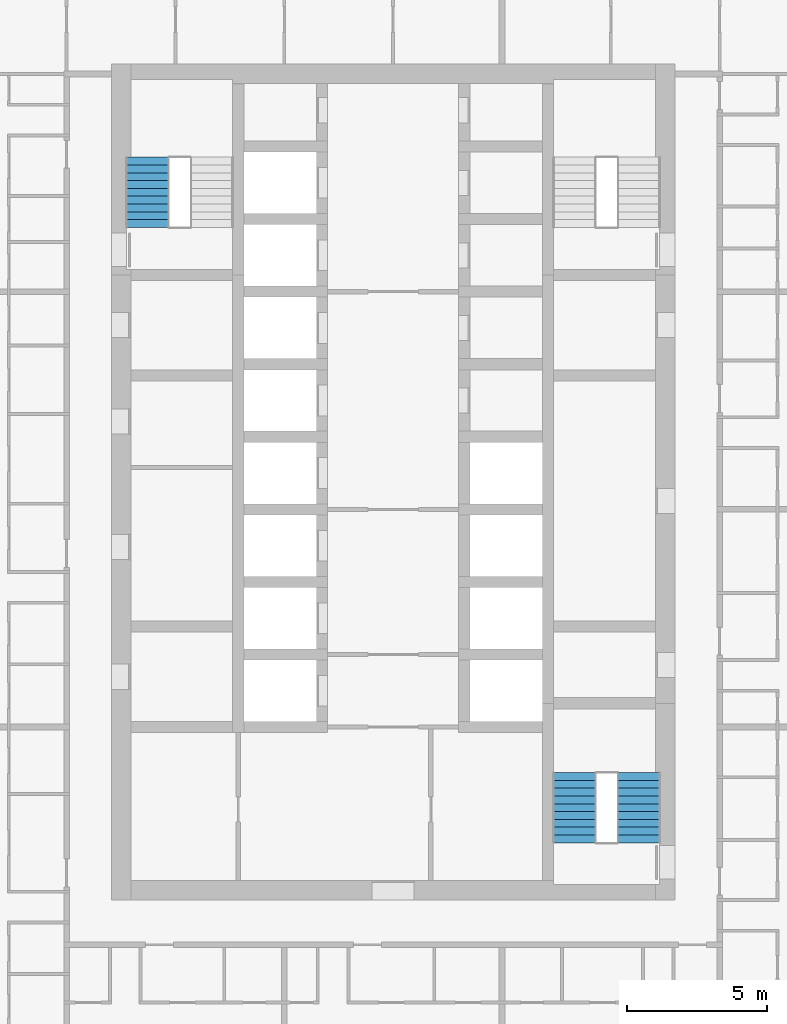
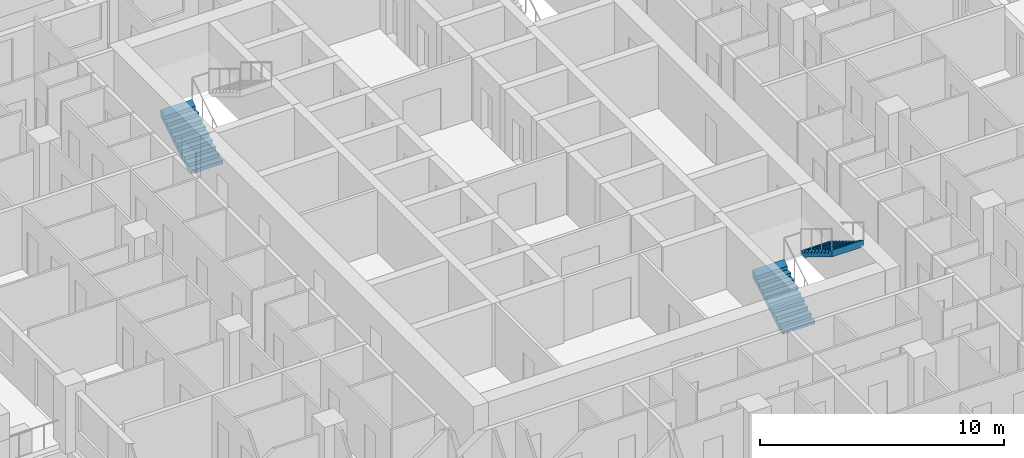
# One storey, part 15 of 18: 3 stair flights, 2 elements without a shape of their own.
"""IFC4 building model written with IfcOpenShell, lengths in metres."""

import ifcopenshell
import ifcopenshell.guid

model = None  # the IFC model being written
_history = None  # IfcOwnerHistory: only IFC2X3 demands one
_inside = {}  # id of a spatial element -> (the spatial element, [elements in it])
_under = {}  # id of a project, library or spatial element -> (it, [spatial elements below it])
_declared = {}  # id of a project -> (the project, [libraries it declares])
_typed = {}  # id of a type object -> (the type object, [elements of that type])
_made_of = {}  # id of a material, layer set ... -> (it, [elements and type objects made of it])


def new_model(schema):
    """Start an empty IFC model of exactly this schema.

    Asked for "IFC4X3", IfcOpenShell would pick the latest addendum, in which some entities
    have other attributes; the version numbers below select the first issue.
    IFC2X3 requires an IfcOwnerHistory on every rooted entity: one is made here for all.
    """
    global model, _history
    if schema == "IFC4X3":
        model = ifcopenshell.file(schema_version=(4, 3, 0, 0))
    else:
        model = ifcopenshell.file(schema=schema)
    _inside.clear()
    _under.clear()
    _declared.clear()
    _typed.clear()
    _made_of.clear()
    _history = None
    if model.schema == "IFC2X3":
        org = make("IfcOrganization", Name="unknown")
        user = make(
            "IfcPersonAndOrganization",
            ThePerson=make("IfcPerson", FamilyName="unknown"),
            TheOrganization=org,
        )
        app = make(
            "IfcApplication",
            ApplicationDeveloper=org,
            Version="unknown",
            ApplicationFullName="unknown",
            ApplicationIdentifier="unknown",
        )
        _history = make(
            "IfcOwnerHistory",
            OwningUser=user,
            OwningApplication=app,
            ChangeAction="ADDED",
            CreationDate=0,
        )
    return model


def make(cls, **values):
    """One entity of the class cls with the attributes given. An attribute that is None is left unset."""
    return model.create_entity(
        cls, **{name: value for name, value in values.items() if value is not None}
    )


def rooted(cls, **values):
    """An entity with a GlobalId (a new one), such as an element, a storey or a relation."""
    return make(cls, GlobalId=ifcopenshell.guid.new(), OwnerHistory=_history, **values)


def si_unit(unit_type, name, prefix=None):
    """IfcSIUnit, for example si_unit("LENGTHUNIT", "METRE", prefix="MILLI")."""
    return make("IfcSIUnit", UnitType=unit_type, Prefix=prefix, Name=name)


def assignment(units):
    """IfcUnitAssignment: the units of a project."""
    return None if units is None else make("IfcUnitAssignment", Units=units)


def point(xyz):
    """IfcCartesianPoint."""
    return None if xyz is None else make("IfcCartesianPoint", Coordinates=xyz)


def direction(xyz):
    """IfcDirection."""
    return None if xyz is None else make("IfcDirection", DirectionRatios=xyz)


def frame(location, z_axis=None, x_axis=None):
    """IfcAxis2Placement3D, a coordinate frame: its origin and axes. An axis left out is left unset."""
    return make(
        "IfcAxis2Placement3D",
        Location=point(location),
        Axis=direction(z_axis),
        RefDirection=direction(x_axis),
    )


def origin():
    """The frame at (0, 0, 0) with its axes left unset."""
    return frame((0.0, 0.0, 0.0))


def place(relative_to, where):
    """IfcLocalPlacement: puts the frame where relative to a parent placement (None: the world)."""
    return make(
        "IfcLocalPlacement", PlacementRelTo=relative_to, RelativePlacement=where
    )


def context(
    kind, dimensions, precision=None, world=None, true_north=None, identifier=None
):
    """IfcGeometricRepresentationContext, for example the 3D "Model" context."""
    return make(
        "IfcGeometricRepresentationContext",
        ContextIdentifier=identifier,
        ContextType=kind,
        CoordinateSpaceDimension=dimensions,
        Precision=precision,
        WorldCoordinateSystem=world,
        TrueNorth=true_north,
    )


def subcontext(parent, identifier, kind, view, scale=None):
    """IfcGeometricRepresentationSubContext, for example "Body" below "Model"."""
    return make(
        "IfcGeometricRepresentationSubContext",
        ContextIdentifier=identifier,
        ContextType=kind,
        ParentContext=parent,
        TargetScale=scale,
        TargetView=view,
    )


def project(units=None, contexts=None):
    """IfcProject with its units and contexts."""
    return rooted(
        "IfcProject",
        Name="project",
        RepresentationContexts=contexts,
        UnitsInContext=assignment(units),
    )


def spatial(cls, under=None, at=None, **own):
    """A site, building, storey or space (cls), placed at a placement, below another one or the project."""
    s = rooted(cls, ObjectPlacement=at, **own)
    if under is not None:
        _under.setdefault(under.id(), (under, []))[1].append(s)
    return s


def point_list(points):
    """IfcCartesianPointList2D or 3D."""
    cls = (
        "IfcCartesianPointList2D" if len(points[0]) == 2 else "IfcCartesianPointList3D"
    )
    return make(cls, CoordList=points)


def triangles(points, corners, closed=None, point_numbers=None):
    """IfcTriangulatedFaceSet: each triangle names its three corners, points numbered from 1."""
    return make(
        "IfcTriangulatedFaceSet",
        Coordinates=point_list(points),
        Closed=closed,
        CoordIndex=corners,
        PnIndex=point_numbers,
    )


def shape(context_of_items, identifier, shape_type, items):
    """IfcShapeRepresentation: the items that make up one representation, for example the "Body"."""
    return make(
        "IfcShapeRepresentation",
        ContextOfItems=context_of_items,
        RepresentationIdentifier=identifier,
        RepresentationType=shape_type,
        Items=items,
    )


def material(Name=None, Category=None):
    """IfcMaterial."""
    return make("IfcMaterial", Name=Name, Category=Category)


def made_of(thing, what):
    """Note that an element or type object is made of a material, layer set ...; save() writes the relation."""
    if what is not None:
        _made_of.setdefault(what.id(), (what, []))[1].append(thing)
    return thing


def type_object(cls, material=None, **own):
    """A type object (cls), such as IfcWallType, which elements share."""
    return made_of(rooted(cls, **own), material)


def element(
    cls,
    number,
    at=None,
    inside=None,
    cuts=None,
    type_object=None,
    material=None,
    context=None,
    identifier="Body",
    shape_type=None,
    held_by="IfcProductDefinitionShape",
    body=None,
    shapes=None,
    **own,
):
    """One element of the class cls, such as IfcWall. Its Tag is "e" and its number.

    at: its placement. inside: the storey or other place that contains it. cuts: it is an
    opening in that element (IfcRelVoidsElement). A single representation is given by context,
    identifier, shape_type and body (its items); several are given by shapes. held_by: the class
    of the entity that holds the representations. save() writes the other relations.
    """
    e = rooted(cls, Tag="e%d" % number, ObjectPlacement=at, **own)
    if body is not None:
        shapes = [shape(context, identifier, shape_type, body)]
    if shapes is not None:
        e.Representation = make(held_by, Representations=shapes)
    if inside is not None:
        _inside.setdefault(inside.id(), (inside, []))[1].append(e)
    if cuts is not None:
        rooted(
            "IfcRelVoidsElement", RelatingBuildingElement=cuts, RelatedOpeningElement=e
        )
    if type_object is not None:
        _typed.setdefault(type_object.id(), (type_object, []))[1].append(e)
    return made_of(e, material)


def aggregate(whole, parts):
    """IfcRelAggregates: a whole, such as a stair, and the parts it consists of."""
    return rooted("IfcRelAggregates", RelatingObject=whole, RelatedObjects=parts)


def save(model, path):
    """Write the relations noted so far, then the file.

    IfcRelAggregates (storeys below a building ...), IfcRelContainedInSpatialStructure (elements
    in a storey), IfcRelDefinesByType, IfcRelAssociatesMaterial and IfcRelDeclares: one each for
    every whole, place, type object, material and project.
    """
    for whole, parts in _under.values():
        aggregate(whole, parts)
    for where, things in _inside.values():
        rooted(
            "IfcRelContainedInSpatialStructure",
            RelatedElements=things,
            RelatingStructure=where,
        )
    for kind, things in _typed.values():
        rooted("IfcRelDefinesByType", RelatedObjects=things, RelatingType=kind)
    for what, things in _made_of.values():
        rooted("IfcRelAssociatesMaterial", RelatedObjects=things, RelatingMaterial=what)
    for by, libraries in _declared.values():
        rooted("IfcRelDeclares", RelatingContext=by, RelatedDefinitions=libraries)
    model.write(path)


model = new_model("IFC4")

# Units and contexts
model_context = context("Model", 3, precision=1e-05, world=origin(), true_north=direction((0.0, 1.0)))
body_context = subcontext(model_context, "Body", "Model", "MODEL_VIEW")
ifc_project = project(units=[si_unit("LENGTHUNIT", "METRE"), si_unit("AREAUNIT", "SQUARE_METRE"), si_unit("VOLUMEUNIT", "CUBIC_METRE"), si_unit("PLANEANGLEUNIT", "RADIAN"), si_unit("MASSUNIT", "GRAM", prefix="KILO")], contexts=[model_context])

# Site, building, storey
site_placement = place(None, origin())
site = spatial("IfcSite", under=ifc_project, at=site_placement, CompositionType="ELEMENT")
building_placement = place(site_placement, origin())
building = spatial("IfcBuilding", under=site, at=building_placement, Name="Ludao Terraces", CompositionType="ELEMENT")
storey_placement = place(building_placement, frame((0.0, 0.0, 78.39990234375)))
storey = spatial("IfcBuildingStorey", under=building, at=storey_placement, Name="L21", CompositionType="ELEMENT", Elevation=78.39990234375)

# Stair, stair flight
ifc_material = material(Name="Concrete C40", Category="concrete")
stair_type = type_object("IfcStairType", Name="INT Stair", PredefinedType="HALF_TURN_STAIR", material=ifc_material)
stair_1_placement = place(storey_placement, origin())
stair_1 = element("IfcStair", 1, at=stair_1_placement, inside=storey, type_object=stair_type, Name="EXIT STAIR 1", PredefinedType="HALF_TURN_STAIR")
stair_flight_type = type_object("IfcStairFlightType", Name="INT Stair flight", PredefinedType="STRAIGHT", material=ifc_material)
stair_flight_1_placement = place(storey_placement, frame((76.199951171875, 79.0, 0.0), z_axis=(0.0, 0.0, 1.0), x_axis=(0.0, 1.0, 0.0)))
stair_flight_1 = element("IfcStairFlight", 2, at=stair_flight_1_placement, type_object=stair_flight_type, Name="ST1 flight 1", NumberOfRisers=10, NumberOfTreads=9, PredefinedType="STRAIGHT", RiserHeight=0.17, TreadLength=0.28, context=body_context, shape_type="Tessellation", body=[
    triangles([(0.0, -0.75, 0.0), (0.0, -0.5, 0.0), (0.0, -0.25, 0.0), (0.0, 0.0, 0.0), (0.0, 0.25, 0.0), (0.0, 0.5, 0.0), (0.0, 0.75, 0.0), (0.0, -0.75, 0.169921875), (0.0, -0.5, 0.169921875), (0.0, -0.25, 0.169921875), (0.0, 0.0, 0.169921875), (0.0, 0.25, 0.169921875), (0.0, 0.5, 0.169921875), (0.0, 0.75, 0.169921875), (0.280029296875, -0.75, 0.169921875), (0.280029296875, -0.5, 0.169921875), (0.280029296875, -0.25, 0.169921875), (0.280029296875, 0.0, 0.169921875), (0.280029296875, 0.25, 0.169921875), (0.280029296875, 0.5, 0.169921875), (0.280029296875, 0.75, 0.169921875), (0.280029296875, -0.75, 0.340087890625), (0.280029296875, -0.5, 0.340087890625), (0.280029296875, -0.25, 0.340087890625), (0.280029296875, 0.0, 0.340087890625), (0.280029296875, 0.25, 0.340087890625), (0.280029296875, 0.5, 0.340087890625), (0.280029296875, 0.75, 0.340087890625), (0.56005859375, -0.75, 0.340087890625), (0.56005859375, -0.5, 0.340087890625), (0.56005859375, -0.25, 0.340087890625), (0.56005859375, 0.0, 0.340087890625), (0.56005859375, 0.25, 0.340087890625), (0.56005859375, 0.5, 0.340087890625), (0.56005859375, 0.75, 0.340087890625), (0.56005859375, -0.75, 0.510009765625), (0.56005859375, -0.5, 0.510009765625), (0.56005859375, -0.25, 0.510009765625), (0.56005859375, 0.0, 0.510009765625), (0.56005859375, 0.25, 0.510009765625), (0.56005859375, 0.5, 0.510009765625), (0.56005859375, 0.75, 0.510009765625), (0.840087890625, -0.75, 0.510009765625), (0.840087890625, -0.5, 0.510009765625), (0.840087890625, -0.25, 0.510009765625), (0.840087890625, 0.0, 0.510009765625), (0.840087890625, 0.25, 0.510009765625), (0.840087890625, 0.5, 0.510009765625), (0.840087890625, 0.75, 0.510009765625), (0.840087890625, -0.75, 0.679931640625), (0.840087890625, -0.5, 0.679931640625), (0.840087890625, -0.25, 0.679931640625), (0.840087890625, 0.0, 0.679931640625), (0.840087890625, 0.25, 0.679931640625), (0.840087890625, 0.5, 0.679931640625), (0.840087890625, 0.75, 0.679931640625), (1.1201171875, -0.75, 0.679931640625), (1.1201171875, -0.5, 0.679931640625), (1.1201171875, -0.25, 0.679931640625), (1.1201171875, 0.0, 0.679931640625), (1.1201171875, 0.25, 0.679931640625), (1.1201171875, 0.5, 0.679931640625), (1.1201171875, 0.75, 0.679931640625), (1.1201171875, -0.75, 0.85009765625), (1.1201171875, -0.5, 0.85009765625), (1.1201171875, -0.25, 0.85009765625), (1.1201171875, 0.0, 0.85009765625), (1.1201171875, 0.25, 0.85009765625), (1.1201171875, 0.5, 0.85009765625), (1.1201171875, 0.75, 0.85009765625), (1.39990234375, -0.75, 0.85009765625), (1.39990234375, -0.5, 0.85009765625), (1.39990234375, -0.25, 0.85009765625), (1.39990234375, 0.0, 0.85009765625), (1.39990234375, 0.25, 0.85009765625), (1.39990234375, 0.5, 0.85009765625), (1.39990234375, 0.75, 0.85009765625), (1.39990234375, -0.75, 1.02001953125), (1.39990234375, -0.5, 1.02001953125), (1.39990234375, -0.25, 1.02001953125), (1.39990234375, 0.0, 1.02001953125), (1.39990234375, 0.25, 1.02001953125), (1.39990234375, 0.5, 1.02001953125), (1.39990234375, 0.75, 1.02001953125), (1.679931640625, -0.75, 1.02001953125), (1.679931640625, -0.5, 1.02001953125), (1.679931640625, -0.25, 1.02001953125), (1.679931640625, 0.0, 1.02001953125), (1.679931640625, 0.25, 1.02001953125), (1.679931640625, 0.5, 1.02001953125), (1.679931640625, 0.75, 1.02001953125), (1.679931640625, -0.75, 1.18994140625), (1.679931640625, -0.5, 1.18994140625), (1.679931640625, -0.25, 1.18994140625), (1.679931640625, 0.0, 1.18994140625), (1.679931640625, 0.25, 1.18994140625), (1.679931640625, 0.5, 1.18994140625), (1.679931640625, 0.75, 1.18994140625), (1.9599609375, -0.75, 1.18994140625), (1.9599609375, -0.5, 1.18994140625), (1.9599609375, -0.25, 1.18994140625), (1.9599609375, 0.0, 1.18994140625), (1.9599609375, 0.25, 1.18994140625), (1.9599609375, 0.5, 1.18994140625), (1.9599609375, 0.75, 1.18994140625), (1.9599609375, -0.75, 1.360107421875), (1.9599609375, -0.5, 1.360107421875), (1.9599609375, -0.25, 1.360107421875), (1.9599609375, 0.0, 1.360107421875), (1.9599609375, 0.25, 1.360107421875), (1.9599609375, 0.5, 1.360107421875), (1.9599609375, 0.75, 1.360107421875), (2.239990234375, -0.75, 1.360107421875), (2.239990234375, -0.5, 1.360107421875), (2.239990234375, -0.25, 1.360107421875), (2.239990234375, 0.0, 1.360107421875), (2.239990234375, 0.25, 1.360107421875), (2.239990234375, 0.5, 1.360107421875), (2.239990234375, 0.75, 1.360107421875), (2.239990234375, -0.75, 1.530029296875), (2.239990234375, -0.5, 1.530029296875), (2.239990234375, -0.25, 1.530029296875), (2.239990234375, 0.0, 1.530029296875), (2.239990234375, 0.25, 1.530029296875), (2.239990234375, 0.5, 1.530029296875), (2.239990234375, 0.75, 1.530029296875), (2.52001953125, -0.75, 1.699951171875), (2.52001953125, -0.5, 1.699951171875), (2.52001953125, -0.25, 1.699951171875), (2.52001953125, 0.0, 1.699951171875), (2.52001953125, 0.25, 1.699951171875), (2.52001953125, 0.5, 1.699951171875), (2.52001953125, 0.75, 1.699951171875), (2.52001953125, -0.75, 1.354736328125), (2.52001953125, -0.5, 1.354736328125), (2.52001953125, -0.25, 1.354736328125), (2.52001953125, 0.0, 1.354736328125), (2.52001953125, 0.25, 1.354736328125), (2.52001953125, 0.5, 1.354736328125), (2.52001953125, 0.75, 1.354736328125), (0.288818359375, -0.75, 0.0), (0.288818359375, -0.5, 0.0), (0.288818359375, -0.25, 0.0), (0.288818359375, 0.0, 0.0), (0.288818359375, 0.25, 0.0), (0.288818359375, 0.5, 0.0), (0.288818359375, 0.75, 0.0)], [[1, 141, 134], [7, 140, 147], [134, 127, 120], [140, 126, 133], [134, 120, 113], [140, 119, 126], [134, 113, 106], [140, 112, 119], [134, 106, 99], [140, 105, 112], [99, 92, 85], [105, 91, 98], [134, 99, 85], [140, 91, 105], [85, 78, 71], [91, 77, 84], [134, 85, 71], [140, 77, 91], [71, 64, 57], [77, 63, 70], [134, 71, 57], [140, 63, 77], [57, 50, 43], [63, 49, 56], [134, 57, 43], [140, 49, 63], [43, 36, 29], [49, 35, 42], [134, 43, 29], [140, 35, 49], [29, 22, 15], [35, 21, 28], [134, 29, 15], [140, 21, 35], [1, 134, 15], [7, 21, 140], [15, 8, 1], [21, 7, 14], [1, 9, 2], [1, 8, 9], [2, 10, 3], [2, 9, 10], [3, 11, 4], [3, 10, 11], [4, 12, 5], [4, 11, 12], [5, 13, 6], [5, 12, 13], [6, 14, 7], [6, 13, 14], [8, 16, 9], [8, 15, 16], [9, 17, 10], [9, 16, 17], [10, 18, 11], [10, 17, 18], [11, 19, 12], [11, 18, 19], [12, 20, 13], [12, 19, 20], [13, 21, 14], [13, 20, 21], [15, 23, 16], [15, 22, 23], [16, 24, 17], [16, 23, 24], [17, 25, 18], [17, 24, 25], [18, 26, 19], [18, 25, 26], [19, 27, 20], [19, 26, 27], [20, 28, 21], [20, 27, 28], [22, 30, 23], [22, 29, 30], [23, 31, 24], [23, 30, 31], [24, 32, 25], [24, 31, 32], [25, 33, 26], [25, 32, 33], [26, 34, 27], [26, 33, 34], [27, 35, 28], [27, 34, 35], [29, 37, 30], [29, 36, 37], [30, 38, 31], [30, 37, 38], [31, 39, 32], [31, 38, 39], [32, 40, 33], [32, 39, 40], [33, 41, 34], [33, 40, 41], [34, 42, 35], [34, 41, 42], [36, 44, 37], [36, 43, 44], [37, 45, 38], [37, 44, 45], [38, 46, 39], [38, 45, 46], [39, 47, 40], [39, 46, 47], [40, 48, 41], [40, 47, 48], [41, 49, 42], [41, 48, 49], [43, 51, 44], [43, 50, 51], [44, 52, 45], [44, 51, 52], [45, 53, 46], [45, 52, 53], [46, 54, 47], [46, 53, 54], [47, 55, 48], [47, 54, 55], [48, 56, 49], [48, 55, 56], [50, 58, 51], [50, 57, 58], [51, 59, 52], [51, 58, 59], [52, 60, 53], [52, 59, 60], [53, 61, 54], [53, 60, 61], [54, 62, 55], [54, 61, 62], [55, 63, 56], [55, 62, 63], [57, 65, 58], [57, 64, 65], [58, 66, 59], [58, 65, 66], [59, 67, 60], [59, 66, 67], [60, 68, 61], [60, 67, 68], [61, 69, 62], [61, 68, 69], [62, 70, 63], [62, 69, 70], [64, 72, 65], [64, 71, 72], [65, 73, 66], [65, 72, 73], [66, 74, 67], [66, 73, 74], [67, 75, 68], [67, 74, 75], [68, 76, 69], [68, 75, 76], [69, 77, 70], [69, 76, 77], [71, 79, 72], [71, 78, 79], [72, 80, 73], [72, 79, 80], [73, 81, 74], [73, 80, 81], [74, 82, 75], [74, 81, 82], [75, 83, 76], [75, 82, 83], [76, 84, 77], [76, 83, 84], [78, 86, 79], [78, 85, 86], [79, 87, 80], [79, 86, 87], [80, 88, 81], [80, 87, 88], [81, 89, 82], [81, 88, 89], [82, 90, 83], [82, 89, 90], [83, 91, 84], [83, 90, 91], [85, 93, 86], [85, 92, 93], [86, 94, 87], [86, 93, 94], [87, 95, 88], [87, 94, 95], [88, 96, 89], [88, 95, 96], [89, 97, 90], [89, 96, 97], [90, 98, 91], [90, 97, 98], [92, 100, 93], [92, 99, 100], [93, 101, 94], [93, 100, 101], [94, 102, 95], [94, 101, 102], [95, 103, 96], [95, 102, 103], [96, 104, 97], [96, 103, 104], [97, 105, 98], [97, 104, 105], [99, 107, 100], [99, 106, 107], [100, 108, 101], [100, 107, 108], [101, 109, 102], [101, 108, 109], [102, 110, 103], [102, 109, 110], [103, 111, 104], [103, 110, 111], [104, 112, 105], [104, 111, 112], [106, 114, 107], [106, 113, 114], [107, 115, 108], [107, 114, 115], [108, 116, 109], [108, 115, 116], [109, 117, 110], [109, 116, 117], [110, 118, 111], [110, 117, 118], [111, 119, 112], [111, 118, 119], [113, 121, 114], [113, 120, 121], [114, 122, 115], [114, 121, 122], [115, 123, 116], [115, 122, 123], [116, 124, 117], [116, 123, 124], [117, 125, 118], [117, 124, 125], [118, 126, 119], [118, 125, 126], [120, 128, 121], [120, 127, 128], [121, 129, 122], [121, 128, 129], [122, 130, 123], [122, 129, 130], [123, 131, 124], [123, 130, 131], [124, 132, 125], [124, 131, 132], [125, 133, 126], [125, 132, 133], [127, 135, 128], [127, 134, 135], [128, 136, 129], [128, 135, 136], [129, 137, 130], [129, 136, 137], [130, 138, 131], [130, 137, 138], [131, 139, 132], [131, 138, 139], [132, 140, 133], [132, 139, 140], [134, 142, 135], [134, 141, 142], [135, 143, 136], [135, 142, 143], [136, 144, 137], [136, 143, 144], [137, 145, 138], [137, 144, 145], [138, 146, 139], [138, 145, 146], [139, 147, 140], [139, 146, 147], [141, 2, 142], [141, 1, 2], [142, 3, 143], [142, 2, 3], [143, 4, 144], [143, 3, 4], [144, 5, 145], [144, 4, 5], [145, 6, 146], [145, 5, 6], [146, 7, 147], [146, 6, 7]], closed=True),
])
aggregate(stair_1, [stair_flight_1])

# Stair, stair flights
stair_2_placement = place(storey_placement, origin())
stair_2 = element("IfcStair", 3, at=stair_2_placement, inside=storey, type_object=stair_type, Name="EXIT STAIR 3", PredefinedType="HALF_TURN_STAIR")
stair_flight_2_placement = place(storey_placement, frame((91.5, 56.949951171875, 0.0), z_axis=(0.0, 0.0, 1.0), x_axis=(0.0, 1.0, 0.0)))
stair_flight_2 = element("IfcStairFlight", 4, at=stair_flight_2_placement, type_object=stair_flight_type, Name="ST3 flight 1", NumberOfRisers=10, NumberOfTreads=9, PredefinedType="STRAIGHT", RiserHeight=0.17, TreadLength=0.28, context=body_context, shape_type="Tessellation", body=[
    triangles([(0.0, -0.75, 0.0), (0.0, -0.5, 0.0), (0.0, -0.25, 0.0), (0.0, 0.0, 0.0), (0.0, 0.25, 0.0), (0.0, 0.5, 0.0), (0.0, 0.75, 0.0), (0.0, -0.75, 0.169921875), (0.0, -0.5, 0.169921875), (0.0, -0.25, 0.169921875), (0.0, 0.0, 0.169921875), (0.0, 0.25, 0.169921875), (0.0, 0.5, 0.169921875), (0.0, 0.75, 0.169921875), (0.280029296875, -0.75, 0.169921875), (0.280029296875, -0.5, 0.169921875), (0.280029296875, -0.25, 0.169921875), (0.280029296875, 0.0, 0.169921875), (0.280029296875, 0.25, 0.169921875), (0.280029296875, 0.5, 0.169921875), (0.280029296875, 0.75, 0.169921875), (0.280029296875, -0.75, 0.340087890625), (0.280029296875, -0.5, 0.340087890625), (0.280029296875, -0.25, 0.340087890625), (0.280029296875, 0.0, 0.340087890625), (0.280029296875, 0.25, 0.340087890625), (0.280029296875, 0.5, 0.340087890625), (0.280029296875, 0.75, 0.340087890625), (0.56005859375, -0.75, 0.340087890625), (0.56005859375, -0.5, 0.340087890625), (0.56005859375, -0.25, 0.340087890625), (0.56005859375, 0.0, 0.340087890625), (0.56005859375, 0.25, 0.340087890625), (0.56005859375, 0.5, 0.340087890625), (0.56005859375, 0.75, 0.340087890625), (0.56005859375, -0.75, 0.510009765625), (0.56005859375, -0.5, 0.510009765625), (0.56005859375, -0.25, 0.510009765625), (0.56005859375, 0.0, 0.510009765625), (0.56005859375, 0.25, 0.510009765625), (0.56005859375, 0.5, 0.510009765625), (0.56005859375, 0.75, 0.510009765625), (0.840087890625, -0.75, 0.510009765625), (0.840087890625, -0.5, 0.510009765625), (0.840087890625, -0.25, 0.510009765625), (0.840087890625, 0.0, 0.510009765625), (0.840087890625, 0.25, 0.510009765625), (0.840087890625, 0.5, 0.510009765625), (0.840087890625, 0.75, 0.510009765625), (0.840087890625, -0.75, 0.679931640625), (0.840087890625, -0.5, 0.679931640625), (0.840087890625, -0.25, 0.679931640625), (0.840087890625, 0.0, 0.679931640625), (0.840087890625, 0.25, 0.679931640625), (0.840087890625, 0.5, 0.679931640625), (0.840087890625, 0.75, 0.679931640625), (1.1201171875, -0.75, 0.679931640625), (1.1201171875, -0.5, 0.679931640625), (1.1201171875, -0.25, 0.679931640625), (1.1201171875, 0.0, 0.679931640625), (1.1201171875, 0.25, 0.679931640625), (1.1201171875, 0.5, 0.679931640625), (1.1201171875, 0.75, 0.679931640625), (1.1201171875, -0.75, 0.85009765625), (1.1201171875, -0.5, 0.85009765625), (1.1201171875, -0.25, 0.85009765625), (1.1201171875, 0.0, 0.85009765625), (1.1201171875, 0.25, 0.85009765625), (1.1201171875, 0.5, 0.85009765625), (1.1201171875, 0.75, 0.85009765625), (1.39990234375, -0.75, 0.85009765625), (1.39990234375, -0.5, 0.85009765625), (1.39990234375, -0.25, 0.85009765625), (1.39990234375, 0.0, 0.85009765625), (1.39990234375, 0.25, 0.85009765625), (1.39990234375, 0.5, 0.85009765625), (1.39990234375, 0.75, 0.85009765625), (1.39990234375, -0.75, 1.02001953125), (1.39990234375, -0.5, 1.02001953125), (1.39990234375, -0.25, 1.02001953125), (1.39990234375, 0.0, 1.02001953125), (1.39990234375, 0.25, 1.02001953125), (1.39990234375, 0.5, 1.02001953125), (1.39990234375, 0.75, 1.02001953125), (1.679931640625, -0.75, 1.02001953125), (1.679931640625, -0.5, 1.02001953125), (1.679931640625, -0.25, 1.02001953125), (1.679931640625, 0.0, 1.02001953125), (1.679931640625, 0.25, 1.02001953125), (1.679931640625, 0.5, 1.02001953125), (1.679931640625, 0.75, 1.02001953125), (1.679931640625, -0.75, 1.18994140625), (1.679931640625, -0.5, 1.18994140625), (1.679931640625, -0.25, 1.18994140625), (1.679931640625, 0.0, 1.18994140625), (1.679931640625, 0.25, 1.18994140625), (1.679931640625, 0.5, 1.18994140625), (1.679931640625, 0.75, 1.18994140625), (1.9599609375, -0.75, 1.18994140625), (1.9599609375, -0.5, 1.18994140625), (1.9599609375, -0.25, 1.18994140625), (1.9599609375, 0.0, 1.18994140625), (1.9599609375, 0.25, 1.18994140625), (1.9599609375, 0.5, 1.18994140625), (1.9599609375, 0.75, 1.18994140625), (1.9599609375, -0.75, 1.360107421875), (1.9599609375, -0.5, 1.360107421875), (1.9599609375, -0.25, 1.360107421875), (1.9599609375, 0.0, 1.360107421875), (1.9599609375, 0.25, 1.360107421875), (1.9599609375, 0.5, 1.360107421875), (1.9599609375, 0.75, 1.360107421875), (2.239990234375, -0.75, 1.360107421875), (2.239990234375, -0.5, 1.360107421875), (2.239990234375, -0.25, 1.360107421875), (2.239990234375, 0.0, 1.360107421875), (2.239990234375, 0.25, 1.360107421875), (2.239990234375, 0.5, 1.360107421875), (2.239990234375, 0.75, 1.360107421875), (2.239990234375, -0.75, 1.530029296875), (2.239990234375, -0.5, 1.530029296875), (2.239990234375, -0.25, 1.530029296875), (2.239990234375, 0.0, 1.530029296875), (2.239990234375, 0.25, 1.530029296875), (2.239990234375, 0.5, 1.530029296875), (2.239990234375, 0.75, 1.530029296875), (2.52001953125, -0.75, 1.699951171875), (2.52001953125, -0.5, 1.699951171875), (2.52001953125, -0.25, 1.699951171875), (2.52001953125, 0.0, 1.699951171875), (2.52001953125, 0.25, 1.699951171875), (2.52001953125, 0.5, 1.699951171875), (2.52001953125, 0.75, 1.699951171875), (2.52001953125, -0.75, 1.354736328125), (2.52001953125, -0.5, 1.354736328125), (2.52001953125, -0.25, 1.354736328125), (2.52001953125, 0.0, 1.354736328125), (2.52001953125, 0.25, 1.354736328125), (2.52001953125, 0.5, 1.354736328125), (2.52001953125, 0.75, 1.354736328125), (0.288818359375, -0.75, 0.0), (0.288818359375, -0.5, 0.0), (0.288818359375, -0.25, 0.0), (0.288818359375, 0.0, 0.0), (0.288818359375, 0.25, 0.0), (0.288818359375, 0.5, 0.0), (0.288818359375, 0.75, 0.0)], [[1, 141, 134], [7, 140, 147], [134, 127, 120], [140, 126, 133], [134, 120, 113], [140, 119, 126], [134, 113, 106], [140, 112, 119], [134, 106, 99], [140, 105, 112], [99, 92, 85], [105, 91, 98], [134, 99, 85], [140, 91, 105], [85, 78, 71], [91, 77, 84], [134, 85, 71], [140, 77, 91], [71, 64, 57], [77, 63, 70], [134, 71, 57], [140, 63, 77], [57, 50, 43], [63, 49, 56], [134, 57, 43], [140, 49, 63], [43, 36, 29], [49, 35, 42], [134, 43, 29], [140, 35, 49], [29, 22, 15], [35, 21, 28], [134, 29, 15], [140, 21, 35], [1, 134, 15], [7, 21, 140], [15, 8, 1], [21, 7, 14], [1, 9, 2], [1, 8, 9], [2, 10, 3], [2, 9, 10], [3, 11, 4], [3, 10, 11], [4, 12, 5], [4, 11, 12], [5, 13, 6], [5, 12, 13], [6, 14, 7], [6, 13, 14], [8, 16, 9], [8, 15, 16], [9, 17, 10], [9, 16, 17], [10, 18, 11], [10, 17, 18], [11, 19, 12], [11, 18, 19], [12, 20, 13], [12, 19, 20], [13, 21, 14], [13, 20, 21], [15, 23, 16], [15, 22, 23], [16, 24, 17], [16, 23, 24], [17, 25, 18], [17, 24, 25], [18, 26, 19], [18, 25, 26], [19, 27, 20], [19, 26, 27], [20, 28, 21], [20, 27, 28], [22, 30, 23], [22, 29, 30], [23, 31, 24], [23, 30, 31], [24, 32, 25], [24, 31, 32], [25, 33, 26], [25, 32, 33], [26, 34, 27], [26, 33, 34], [27, 35, 28], [27, 34, 35], [29, 37, 30], [29, 36, 37], [30, 38, 31], [30, 37, 38], [31, 39, 32], [31, 38, 39], [32, 40, 33], [32, 39, 40], [33, 41, 34], [33, 40, 41], [34, 42, 35], [34, 41, 42], [36, 44, 37], [36, 43, 44], [37, 45, 38], [37, 44, 45], [38, 46, 39], [38, 45, 46], [39, 47, 40], [39, 46, 47], [40, 48, 41], [40, 47, 48], [41, 49, 42], [41, 48, 49], [43, 51, 44], [43, 50, 51], [44, 52, 45], [44, 51, 52], [45, 53, 46], [45, 52, 53], [46, 54, 47], [46, 53, 54], [47, 55, 48], [47, 54, 55], [48, 56, 49], [48, 55, 56], [50, 58, 51], [50, 57, 58], [51, 59, 52], [51, 58, 59], [52, 60, 53], [52, 59, 60], [53, 61, 54], [53, 60, 61], [54, 62, 55], [54, 61, 62], [55, 63, 56], [55, 62, 63], [57, 65, 58], [57, 64, 65], [58, 66, 59], [58, 65, 66], [59, 67, 60], [59, 66, 67], [60, 68, 61], [60, 67, 68], [61, 69, 62], [61, 68, 69], [62, 70, 63], [62, 69, 70], [64, 72, 65], [64, 71, 72], [65, 73, 66], [65, 72, 73], [66, 74, 67], [66, 73, 74], [67, 75, 68], [67, 74, 75], [68, 76, 69], [68, 75, 76], [69, 77, 70], [69, 76, 77], [71, 79, 72], [71, 78, 79], [72, 80, 73], [72, 79, 80], [73, 81, 74], [73, 80, 81], [74, 82, 75], [74, 81, 82], [75, 83, 76], [75, 82, 83], [76, 84, 77], [76, 83, 84], [78, 86, 79], [78, 85, 86], [79, 87, 80], [79, 86, 87], [80, 88, 81], [80, 87, 88], [81, 89, 82], [81, 88, 89], [82, 90, 83], [82, 89, 90], [83, 91, 84], [83, 90, 91], [85, 93, 86], [85, 92, 93], [86, 94, 87], [86, 93, 94], [87, 95, 88], [87, 94, 95], [88, 96, 89], [88, 95, 96], [89, 97, 90], [89, 96, 97], [90, 98, 91], [90, 97, 98], [92, 100, 93], [92, 99, 100], [93, 101, 94], [93, 100, 101], [94, 102, 95], [94, 101, 102], [95, 103, 96], [95, 102, 103], [96, 104, 97], [96, 103, 104], [97, 105, 98], [97, 104, 105], [99, 107, 100], [99, 106, 107], [100, 108, 101], [100, 107, 108], [101, 109, 102], [101, 108, 109], [102, 110, 103], [102, 109, 110], [103, 111, 104], [103, 110, 111], [104, 112, 105], [104, 111, 112], [106, 114, 107], [106, 113, 114], [107, 115, 108], [107, 114, 115], [108, 116, 109], [108, 115, 116], [109, 117, 110], [109, 116, 117], [110, 118, 111], [110, 117, 118], [111, 119, 112], [111, 118, 119], [113, 121, 114], [113, 120, 121], [114, 122, 115], [114, 121, 122], [115, 123, 116], [115, 122, 123], [116, 124, 117], [116, 123, 124], [117, 125, 118], [117, 124, 125], [118, 126, 119], [118, 125, 126], [120, 128, 121], [120, 127, 128], [121, 129, 122], [121, 128, 129], [122, 130, 123], [122, 129, 130], [123, 131, 124], [123, 130, 131], [124, 132, 125], [124, 131, 132], [125, 133, 126], [125, 132, 133], [127, 135, 128], [127, 134, 135], [128, 136, 129], [128, 135, 136], [129, 137, 130], [129, 136, 137], [130, 138, 131], [130, 137, 138], [131, 139, 132], [131, 138, 139], [132, 140, 133], [132, 139, 140], [134, 142, 135], [134, 141, 142], [135, 143, 136], [135, 142, 143], [136, 144, 137], [136, 143, 144], [137, 145, 138], [137, 144, 145], [138, 146, 139], [138, 145, 146], [139, 147, 140], [139, 146, 147], [141, 2, 142], [141, 1, 2], [142, 3, 143], [142, 2, 3], [143, 4, 144], [143, 3, 4], [144, 5, 145], [144, 4, 5], [145, 6, 146], [145, 5, 6], [146, 7, 147], [146, 6, 7]], closed=True),
])
stair_flight_3_placement = place(storey_placement, frame((93.800048828125, 59.469970703125, 1.7001953125), z_axis=(0.0, 0.0, 1.0), x_axis=(0.0, -1.0, 0.0)))
stair_flight_3 = element("IfcStairFlight", 5, at=stair_flight_3_placement, type_object=stair_flight_type, Name="ST3 flight 2", NumberOfRisers=10, NumberOfTreads=9, PredefinedType="STRAIGHT", RiserHeight=0.17, TreadLength=0.28, context=body_context, shape_type="Tessellation", body=[
    triangles([(0.0, -0.75, 0.0), (0.0, -0.5, 0.0), (0.0, -0.25, 0.0), (0.0, 0.0, 0.0), (0.0, 0.25, 0.0), (0.0, 0.5, 0.0), (0.0, 0.75, 0.0), (0.0, -0.75, 0.169921875), (0.0, -0.5, 0.169921875), (0.0, -0.25, 0.169921875), (0.0, 0.0, 0.169921875), (0.0, 0.25, 0.169921875), (0.0, 0.5, 0.169921875), (0.0, 0.75, 0.169921875), (0.280029296875, -0.75, 0.169921875), (0.280029296875, -0.5, 0.169921875), (0.280029296875, -0.25, 0.169921875), (0.280029296875, 0.0, 0.169921875), (0.280029296875, 0.25, 0.169921875), (0.280029296875, 0.5, 0.169921875), (0.280029296875, 0.75, 0.169921875), (0.280029296875, -0.75, 0.340087890625), (0.280029296875, -0.5, 0.340087890625), (0.280029296875, -0.25, 0.340087890625), (0.280029296875, 0.0, 0.340087890625), (0.280029296875, 0.25, 0.340087890625), (0.280029296875, 0.5, 0.340087890625), (0.280029296875, 0.75, 0.340087890625), (0.56005859375, -0.75, 0.340087890625), (0.56005859375, -0.5, 0.340087890625), (0.56005859375, -0.25, 0.340087890625), (0.56005859375, 0.0, 0.340087890625), (0.56005859375, 0.25, 0.340087890625), (0.56005859375, 0.5, 0.340087890625), (0.56005859375, 0.75, 0.340087890625), (0.56005859375, -0.75, 0.510009765625), (0.56005859375, -0.5, 0.510009765625), (0.56005859375, -0.25, 0.510009765625), (0.56005859375, 0.0, 0.510009765625), (0.56005859375, 0.25, 0.510009765625), (0.56005859375, 0.5, 0.510009765625), (0.56005859375, 0.75, 0.510009765625), (0.840087890625, -0.75, 0.510009765625), (0.840087890625, -0.5, 0.510009765625), (0.840087890625, -0.25, 0.510009765625), (0.840087890625, 0.0, 0.510009765625), (0.840087890625, 0.25, 0.510009765625), (0.840087890625, 0.5, 0.510009765625), (0.840087890625, 0.75, 0.510009765625), (0.840087890625, -0.75, 0.679931640625), (0.840087890625, -0.5, 0.679931640625), (0.840087890625, -0.25, 0.679931640625), (0.840087890625, 0.0, 0.679931640625), (0.840087890625, 0.25, 0.679931640625), (0.840087890625, 0.5, 0.679931640625), (0.840087890625, 0.75, 0.679931640625), (1.1201171875, -0.75, 0.679931640625), (1.1201171875, -0.5, 0.679931640625), (1.1201171875, -0.25, 0.679931640625), (1.1201171875, 0.0, 0.679931640625), (1.1201171875, 0.25, 0.679931640625), (1.1201171875, 0.5, 0.679931640625), (1.1201171875, 0.75, 0.679931640625), (1.1201171875, -0.75, 0.85009765625), (1.1201171875, -0.5, 0.85009765625), (1.1201171875, -0.25, 0.85009765625), (1.1201171875, 0.0, 0.85009765625), (1.1201171875, 0.25, 0.85009765625), (1.1201171875, 0.5, 0.85009765625), (1.1201171875, 0.75, 0.85009765625), (1.39990234375, -0.75, 0.85009765625), (1.39990234375, -0.5, 0.85009765625), (1.39990234375, -0.25, 0.85009765625), (1.39990234375, 0.0, 0.85009765625), (1.39990234375, 0.25, 0.85009765625), (1.39990234375, 0.5, 0.85009765625), (1.39990234375, 0.75, 0.85009765625), (1.39990234375, -0.75, 1.02001953125), (1.39990234375, -0.5, 1.02001953125), (1.39990234375, -0.25, 1.02001953125), (1.39990234375, 0.0, 1.02001953125), (1.39990234375, 0.25, 1.02001953125), (1.39990234375, 0.5, 1.02001953125), (1.39990234375, 0.75, 1.02001953125), (1.679931640625, -0.75, 1.02001953125), (1.679931640625, -0.5, 1.02001953125), (1.679931640625, -0.25, 1.02001953125), (1.679931640625, 0.0, 1.02001953125), (1.679931640625, 0.25, 1.02001953125), (1.679931640625, 0.5, 1.02001953125), (1.679931640625, 0.75, 1.02001953125), (1.679931640625, -0.75, 1.18994140625), (1.679931640625, -0.5, 1.18994140625), (1.679931640625, -0.25, 1.18994140625), (1.679931640625, 0.0, 1.18994140625), (1.679931640625, 0.25, 1.18994140625), (1.679931640625, 0.5, 1.18994140625), (1.679931640625, 0.75, 1.18994140625), (1.9599609375, -0.75, 1.18994140625), (1.9599609375, -0.5, 1.18994140625), (1.9599609375, -0.25, 1.18994140625), (1.9599609375, 0.0, 1.18994140625), (1.9599609375, 0.25, 1.18994140625), (1.9599609375, 0.5, 1.18994140625), (1.9599609375, 0.75, 1.18994140625), (1.9599609375, -0.75, 1.360107421875), (1.9599609375, -0.5, 1.360107421875), (1.9599609375, -0.25, 1.360107421875), (1.9599609375, 0.0, 1.360107421875), (1.9599609375, 0.25, 1.360107421875), (1.9599609375, 0.5, 1.360107421875), (1.9599609375, 0.75, 1.360107421875), (2.239990234375, -0.75, 1.360107421875), (2.239990234375, -0.5, 1.360107421875), (2.239990234375, -0.25, 1.360107421875), (2.239990234375, 0.0, 1.360107421875), (2.239990234375, 0.25, 1.360107421875), (2.239990234375, 0.5, 1.360107421875), (2.239990234375, 0.75, 1.360107421875), (2.239990234375, -0.75, 1.530029296875), (2.239990234375, -0.5, 1.530029296875), (2.239990234375, -0.25, 1.530029296875), (2.239990234375, 0.0, 1.530029296875), (2.239990234375, 0.25, 1.530029296875), (2.239990234375, 0.5, 1.530029296875), (2.239990234375, 0.75, 1.530029296875), (2.52001953125, -0.75, 1.699951171875), (2.52001953125, -0.5, 1.699951171875), (2.52001953125, -0.25, 1.699951171875), (2.52001953125, 0.0, 1.699951171875), (2.52001953125, 0.25, 1.699951171875), (2.52001953125, 0.5, 1.699951171875), (2.52001953125, 0.75, 1.699951171875), (2.52001953125, -0.75, 1.354736328125), (2.52001953125, -0.5, 1.354736328125), (2.52001953125, -0.25, 1.354736328125), (2.52001953125, 0.0, 1.354736328125), (2.52001953125, 0.25, 1.354736328125), (2.52001953125, 0.5, 1.354736328125), (2.52001953125, 0.75, 1.354736328125), (0.288818359375, -0.75, 0.0), (0.288818359375, -0.5, 0.0), (0.288818359375, -0.25, 0.0), (0.288818359375, 0.0, 0.0), (0.288818359375, 0.25, 0.0), (0.288818359375, 0.5, 0.0), (0.288818359375, 0.75, 0.0)], [[1, 141, 134], [7, 140, 147], [134, 127, 120], [140, 126, 133], [134, 120, 113], [140, 119, 126], [134, 113, 106], [140, 112, 119], [134, 106, 99], [140, 105, 112], [99, 92, 85], [105, 91, 98], [134, 99, 85], [140, 91, 105], [85, 78, 71], [91, 77, 84], [134, 85, 71], [140, 77, 91], [71, 64, 57], [77, 63, 70], [134, 71, 57], [140, 63, 77], [57, 50, 43], [63, 49, 56], [134, 57, 43], [140, 49, 63], [43, 36, 29], [49, 35, 42], [134, 43, 29], [140, 35, 49], [29, 22, 15], [35, 21, 28], [134, 29, 15], [140, 21, 35], [1, 134, 15], [7, 21, 140], [15, 8, 1], [21, 7, 14], [1, 9, 2], [1, 8, 9], [2, 10, 3], [2, 9, 10], [3, 11, 4], [3, 10, 11], [4, 12, 5], [4, 11, 12], [5, 13, 6], [5, 12, 13], [6, 14, 7], [6, 13, 14], [8, 16, 9], [8, 15, 16], [9, 17, 10], [9, 16, 17], [10, 18, 11], [10, 17, 18], [11, 19, 12], [11, 18, 19], [12, 20, 13], [12, 19, 20], [13, 21, 14], [13, 20, 21], [15, 23, 16], [15, 22, 23], [16, 24, 17], [16, 23, 24], [17, 25, 18], [17, 24, 25], [18, 26, 19], [18, 25, 26], [19, 27, 20], [19, 26, 27], [20, 28, 21], [20, 27, 28], [22, 30, 23], [22, 29, 30], [23, 31, 24], [23, 30, 31], [24, 32, 25], [24, 31, 32], [25, 33, 26], [25, 32, 33], [26, 34, 27], [26, 33, 34], [27, 35, 28], [27, 34, 35], [29, 37, 30], [29, 36, 37], [30, 38, 31], [30, 37, 38], [31, 39, 32], [31, 38, 39], [32, 40, 33], [32, 39, 40], [33, 41, 34], [33, 40, 41], [34, 42, 35], [34, 41, 42], [36, 44, 37], [36, 43, 44], [37, 45, 38], [37, 44, 45], [38, 46, 39], [38, 45, 46], [39, 47, 40], [39, 46, 47], [40, 48, 41], [40, 47, 48], [41, 49, 42], [41, 48, 49], [43, 51, 44], [43, 50, 51], [44, 52, 45], [44, 51, 52], [45, 53, 46], [45, 52, 53], [46, 54, 47], [46, 53, 54], [47, 55, 48], [47, 54, 55], [48, 56, 49], [48, 55, 56], [50, 58, 51], [50, 57, 58], [51, 59, 52], [51, 58, 59], [52, 60, 53], [52, 59, 60], [53, 61, 54], [53, 60, 61], [54, 62, 55], [54, 61, 62], [55, 63, 56], [55, 62, 63], [57, 65, 58], [57, 64, 65], [58, 66, 59], [58, 65, 66], [59, 67, 60], [59, 66, 67], [60, 68, 61], [60, 67, 68], [61, 69, 62], [61, 68, 69], [62, 70, 63], [62, 69, 70], [64, 72, 65], [64, 71, 72], [65, 73, 66], [65, 72, 73], [66, 74, 67], [66, 73, 74], [67, 75, 68], [67, 74, 75], [68, 76, 69], [68, 75, 76], [69, 77, 70], [69, 76, 77], [71, 79, 72], [71, 78, 79], [72, 80, 73], [72, 79, 80], [73, 81, 74], [73, 80, 81], [74, 82, 75], [74, 81, 82], [75, 83, 76], [75, 82, 83], [76, 84, 77], [76, 83, 84], [78, 86, 79], [78, 85, 86], [79, 87, 80], [79, 86, 87], [80, 88, 81], [80, 87, 88], [81, 89, 82], [81, 88, 89], [82, 90, 83], [82, 89, 90], [83, 91, 84], [83, 90, 91], [85, 93, 86], [85, 92, 93], [86, 94, 87], [86, 93, 94], [87, 95, 88], [87, 94, 95], [88, 96, 89], [88, 95, 96], [89, 97, 90], [89, 96, 97], [90, 98, 91], [90, 97, 98], [92, 100, 93], [92, 99, 100], [93, 101, 94], [93, 100, 101], [94, 102, 95], [94, 101, 102], [95, 103, 96], [95, 102, 103], [96, 104, 97], [96, 103, 104], [97, 105, 98], [97, 104, 105], [99, 107, 100], [99, 106, 107], [100, 108, 101], [100, 107, 108], [101, 109, 102], [101, 108, 109], [102, 110, 103], [102, 109, 110], [103, 111, 104], [103, 110, 111], [104, 112, 105], [104, 111, 112], [106, 114, 107], [106, 113, 114], [107, 115, 108], [107, 114, 115], [108, 116, 109], [108, 115, 116], [109, 117, 110], [109, 116, 117], [110, 118, 111], [110, 117, 118], [111, 119, 112], [111, 118, 119], [113, 121, 114], [113, 120, 121], [114, 122, 115], [114, 121, 122], [115, 123, 116], [115, 122, 123], [116, 124, 117], [116, 123, 124], [117, 125, 118], [117, 124, 125], [118, 126, 119], [118, 125, 126], [120, 128, 121], [120, 127, 128], [121, 129, 122], [121, 128, 129], [122, 130, 123], [122, 129, 130], [123, 131, 124], [123, 130, 131], [124, 132, 125], [124, 131, 132], [125, 133, 126], [125, 132, 133], [127, 135, 128], [127, 134, 135], [128, 136, 129], [128, 135, 136], [129, 137, 130], [129, 136, 137], [130, 138, 131], [130, 137, 138], [131, 139, 132], [131, 138, 139], [132, 140, 133], [132, 139, 140], [134, 142, 135], [134, 141, 142], [135, 143, 136], [135, 142, 143], [136, 144, 137], [136, 143, 144], [137, 145, 138], [137, 144, 145], [138, 146, 139], [138, 145, 146], [139, 147, 140], [139, 146, 147], [141, 2, 142], [141, 1, 2], [142, 3, 143], [142, 2, 3], [143, 4, 144], [143, 3, 4], [144, 5, 145], [144, 4, 5], [145, 6, 146], [145, 5, 6], [146, 7, 147], [146, 6, 7]], closed=True),
])
aggregate(stair_2, [stair_flight_2, stair_flight_3])

save(model, "model.ifc")
